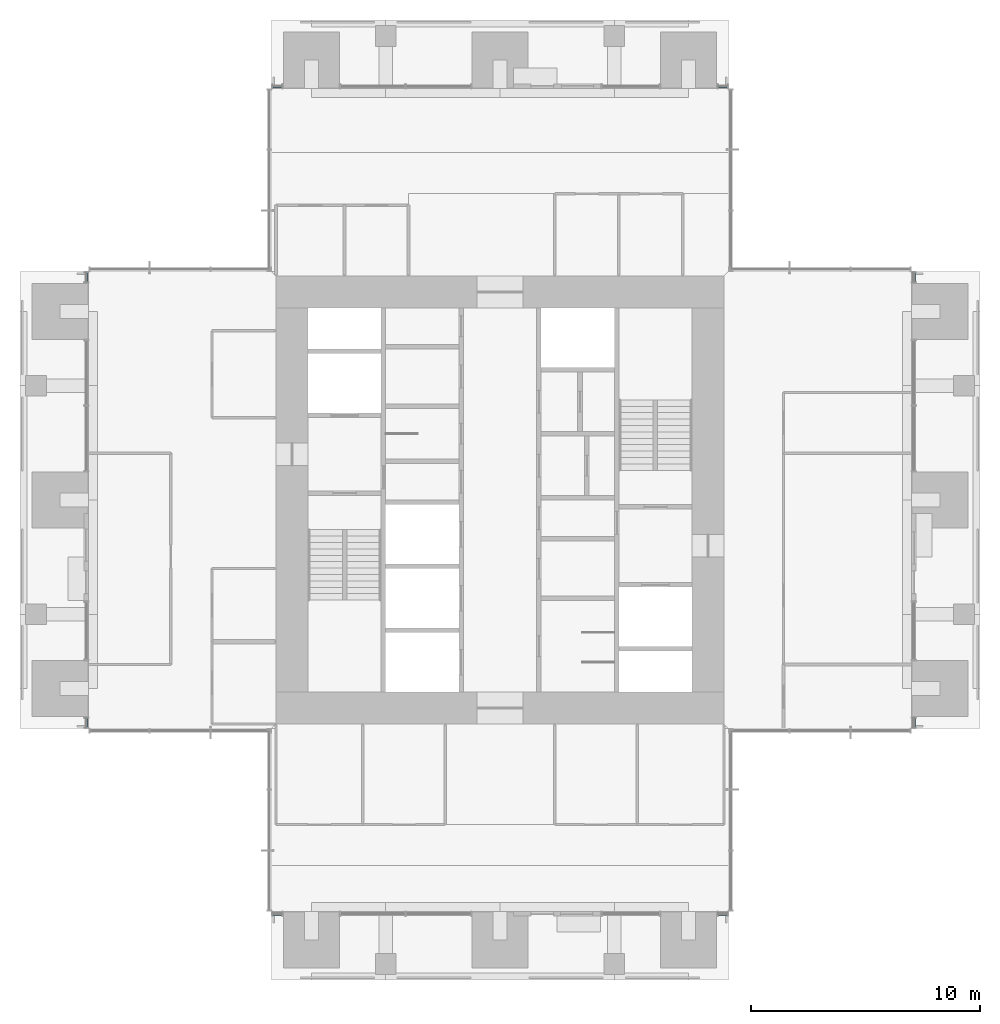
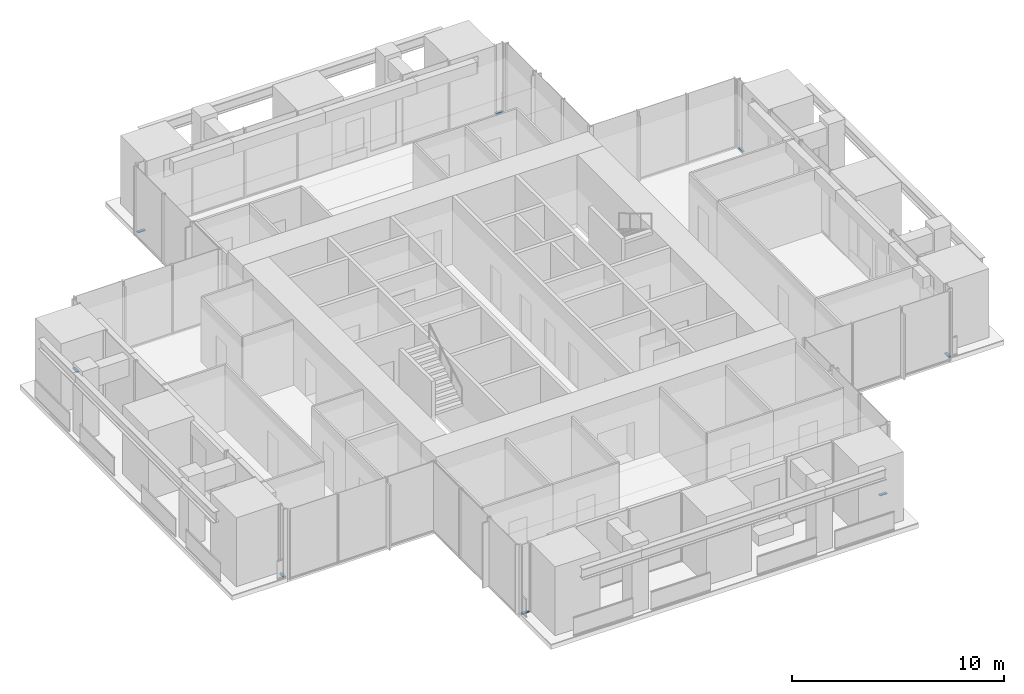
# One storey, part 6 of 17: 8 members, 8 elements without a shape of their own.
"""IFC4 building model written with IfcOpenShell, lengths in metres."""

from ifc_helpers import new_model, si_unit, direction, frame, origin, origin_2d, place, context, subcontext, project, spatial, rectangle, extrude, material, material_profile, profile_set, type_object, element, aggregate, save


model = new_model("IFC4")

# Units and contexts
model_context = context("Model", 3, precision=1e-05, world=origin(), true_north=direction((0.0, 1.0)))
body_context = subcontext(model_context, "Body", "Model", "MODEL_VIEW")
ifc_project = project(units=[si_unit("LENGTHUNIT", "METRE"), si_unit("AREAUNIT", "SQUARE_METRE"), si_unit("VOLUMEUNIT", "CUBIC_METRE"), si_unit("PLANEANGLEUNIT", "RADIAN"), si_unit("MASSUNIT", "GRAM", prefix="KILO")], contexts=[model_context])

# Site, building, storey
site_placement = place(None, origin())
site = spatial("IfcSite", under=ifc_project, at=site_placement, CompositionType="ELEMENT")
building_placement = place(site_placement, origin())
building = spatial("IfcBuilding", under=site, at=building_placement, Name="Svetlomir Tower", CompositionType="ELEMENT")
storey_placement = place(building_placement, frame((0.0, 0.0, 202.5)))
storey = spatial("IfcBuildingStorey", under=building, at=storey_placement, Name="L48", CompositionType="ELEMENT", Elevation=202.5)

# Curtain wall, member
ifc_material_1 = material(Name="Bronze anodised aluminium curtain wall", Category="aluminium")
curtain_wall_type = type_object("IfcCurtainWallType", Name="CURTAIN WALL CW1 TOWER OFFICE", PredefinedType="NOTDEFINED", material=ifc_material_1)
curtain_wall_1_placement = place(storey_placement, origin())
curtain_wall_1 = element("IfcCurtainWall", 1, at=curtain_wall_1_placement, inside=storey, type_object=curtain_wall_type, Name="Curtain wall CW1 L48", PredefinedType="NOTDEFINED")
ifc_material_2 = material(Name="Bronze anodised aluminium", Category="aluminium")
ifc_material_profile = material_profile(ifc_material_2, rectangle(XDim=0.139892578125, YDim=0.06494140625, at=origin_2d()), Name="AL 140x65")
ifc_profile_set = profile_set([ifc_material_profile], Name="Bronze anodised aluminium 6063-T6")
member_type = type_object("IfcMemberType", Name="CW1 TRANSOM 65x140", PredefinedType="USERDEFINED", material=ifc_profile_set)
member_1_placement = place(storey_placement, frame((11.06494140625, 2.89990234375, 0.032470703125), z_axis=(1.0, 0.0, 0.0), x_axis=(0.0, 1.0, 0.0)))
member_1 = element("IfcMember", 2, at=member_1_placement, type_object=member_type, Name="CW1 transom 1.1", ObjectType="TRANSOM", PredefinedType="USERDEFINED", context=body_context, shape_type="SweptSolid", body=[
    extrude(rectangle(XDim=0.139892578125, YDim=0.06494140625, at=origin_2d()), origin(), (0.0, 0.0, 1.0), 0.39501953125),
])
aggregate(curtain_wall_1, [member_1])

curtain_wall_2_placement = place(storey_placement, origin())
curtain_wall_2 = element("IfcCurtainWall", 3, at=curtain_wall_2_placement, inside=storey, type_object=curtain_wall_type, Name="Curtain wall CW1 L48", PredefinedType="NOTDEFINED")
member_2_placement = place(storey_placement, frame((30.5400390625, 2.89990234375, 0.032470703125), z_axis=(1.0, 0.0, 0.0), x_axis=(0.0, 1.0, 0.0)))
member_2 = element("IfcMember", 4, at=member_2_placement, type_object=member_type, Name="CW1 transom 1.1", ObjectType="TRANSOM", PredefinedType="USERDEFINED", context=body_context, shape_type="SweptSolid", body=[
    extrude(rectangle(XDim=0.139892578125, YDim=0.06494140625, at=origin_2d()), origin(), (0.0, 0.0, 1.0), 0.39501953125),
])
aggregate(curtain_wall_2, [member_2])

curtain_wall_3_placement = place(storey_placement, origin())
curtain_wall_3 = element("IfcCurtainWall", 5, at=curtain_wall_3_placement, inside=storey, type_object=curtain_wall_type, Name="Curtain wall CW1 L48", PredefinedType="NOTDEFINED")
member_3_placement = place(storey_placement, frame((39.10009765625, 11.06494140625, 0.032470703125), z_axis=(0.0, 1.0, 0.0), x_axis=(-1.0, 0.0, 0.0)))
member_3 = element("IfcMember", 6, at=member_3_placement, type_object=member_type, Name="CW1 transom 1.1", ObjectType="TRANSOM", PredefinedType="USERDEFINED", context=body_context, shape_type="SweptSolid", body=[
    extrude(rectangle(XDim=0.139892578125, YDim=0.06494140625, at=origin_2d()), origin(), (0.0, 0.0, 1.0), 0.39501953125),
])
aggregate(curtain_wall_3, [member_3])

curtain_wall_4_placement = place(storey_placement, origin())
curtain_wall_4 = element("IfcCurtainWall", 7, at=curtain_wall_4_placement, inside=storey, type_object=curtain_wall_type, Name="Curtain wall CW1 L48", PredefinedType="NOTDEFINED")
member_4_placement = place(storey_placement, frame((39.10009765625, 30.5400390625, 0.032470703125), z_axis=(0.0, 1.0, 0.0), x_axis=(-1.0, 0.0, 0.0)))
member_4 = element("IfcMember", 8, at=member_4_placement, type_object=member_type, Name="CW1 transom 1.1", ObjectType="TRANSOM", PredefinedType="USERDEFINED", context=body_context, shape_type="SweptSolid", body=[
    extrude(rectangle(XDim=0.139892578125, YDim=0.06494140625, at=origin_2d()), origin(), (0.0, 0.0, 1.0), 0.39501953125),
])
aggregate(curtain_wall_4, [member_4])

curtain_wall_5_placement = place(storey_placement, origin())
curtain_wall_5 = element("IfcCurtainWall", 9, at=curtain_wall_5_placement, inside=storey, type_object=curtain_wall_type, Name="Curtain wall CW1 L48", PredefinedType="NOTDEFINED")
member_5_placement = place(storey_placement, frame((30.93505859375, 39.10009765625, 0.032470703125), z_axis=(-1.0, 0.0, 0.0), x_axis=(0.0, -1.0, 0.0)))
member_5 = element("IfcMember", 10, at=member_5_placement, type_object=member_type, Name="CW1 transom 1.1", ObjectType="TRANSOM", PredefinedType="USERDEFINED", context=body_context, shape_type="SweptSolid", body=[
    extrude(rectangle(XDim=0.139892578125, YDim=0.06494140625, at=origin_2d()), origin(), (0.0, 0.0, 1.0), 0.39501953125),
])
aggregate(curtain_wall_5, [member_5])

curtain_wall_6_placement = place(storey_placement, origin())
curtain_wall_6 = element("IfcCurtainWall", 11, at=curtain_wall_6_placement, inside=storey, type_object=curtain_wall_type, Name="Curtain wall CW1 L48", PredefinedType="NOTDEFINED")
member_6_placement = place(storey_placement, frame((11.4599609375, 39.10009765625, 0.032470703125), z_axis=(-1.0, 0.0, 0.0), x_axis=(0.0, -1.0, 0.0)))
member_6 = element("IfcMember", 12, at=member_6_placement, type_object=member_type, Name="CW1 transom 1.1", ObjectType="TRANSOM", PredefinedType="USERDEFINED", context=body_context, shape_type="SweptSolid", body=[
    extrude(rectangle(XDim=0.139892578125, YDim=0.06494140625, at=origin_2d()), origin(), (0.0, 0.0, 1.0), 0.39501953125),
])
aggregate(curtain_wall_6, [member_6])

curtain_wall_7_placement = place(storey_placement, origin())
curtain_wall_7 = element("IfcCurtainWall", 13, at=curtain_wall_7_placement, inside=storey, type_object=curtain_wall_type, Name="Curtain wall CW1 L48", PredefinedType="NOTDEFINED")
member_7_placement = place(storey_placement, frame((2.89990234375, 30.93505859375, 0.032470703125), z_axis=(0.0, -1.0, 0.0), x_axis=(1.0, 0.0, 0.0)))
member_7 = element("IfcMember", 14, at=member_7_placement, type_object=member_type, Name="CW1 transom 1.1", ObjectType="TRANSOM", PredefinedType="USERDEFINED", context=body_context, shape_type="SweptSolid", body=[
    extrude(rectangle(XDim=0.139892578125, YDim=0.06494140625, at=origin_2d()), origin(), (0.0, 0.0, 1.0), 0.39501953125),
])
aggregate(curtain_wall_7, [member_7])

curtain_wall_8_placement = place(storey_placement, origin())
curtain_wall_8 = element("IfcCurtainWall", 15, at=curtain_wall_8_placement, inside=storey, type_object=curtain_wall_type, Name="Curtain wall CW1 L48", PredefinedType="NOTDEFINED")
member_8_placement = place(storey_placement, frame((2.89990234375, 11.4599609375, 0.032470703125), z_axis=(0.0, -1.0, 0.0), x_axis=(1.0, 0.0, 0.0)))
member_8 = element("IfcMember", 16, at=member_8_placement, type_object=member_type, Name="CW1 transom 1.1", ObjectType="TRANSOM", PredefinedType="USERDEFINED", context=body_context, shape_type="SweptSolid", body=[
    extrude(rectangle(XDim=0.139892578125, YDim=0.06494140625, at=origin_2d()), origin(), (0.0, 0.0, 1.0), 0.39501953125),
])
aggregate(curtain_wall_8, [member_8])

save(model, "model.ifc")
